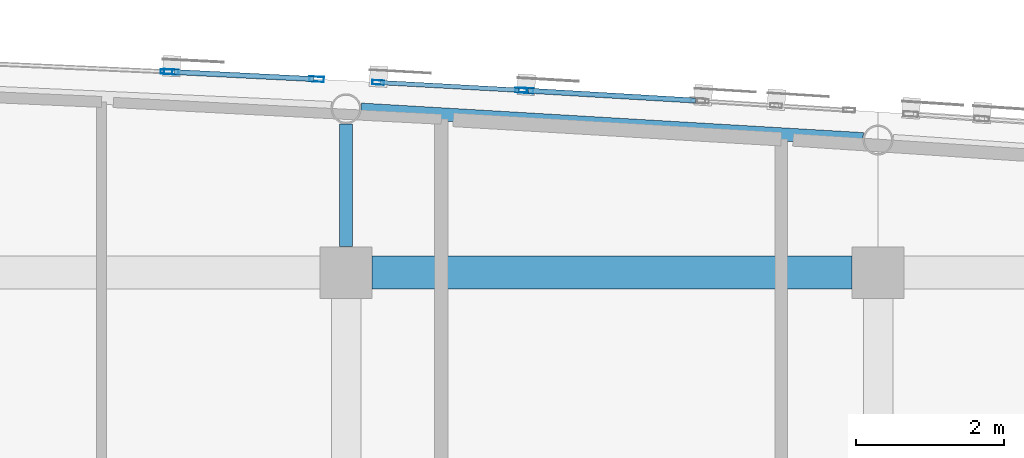
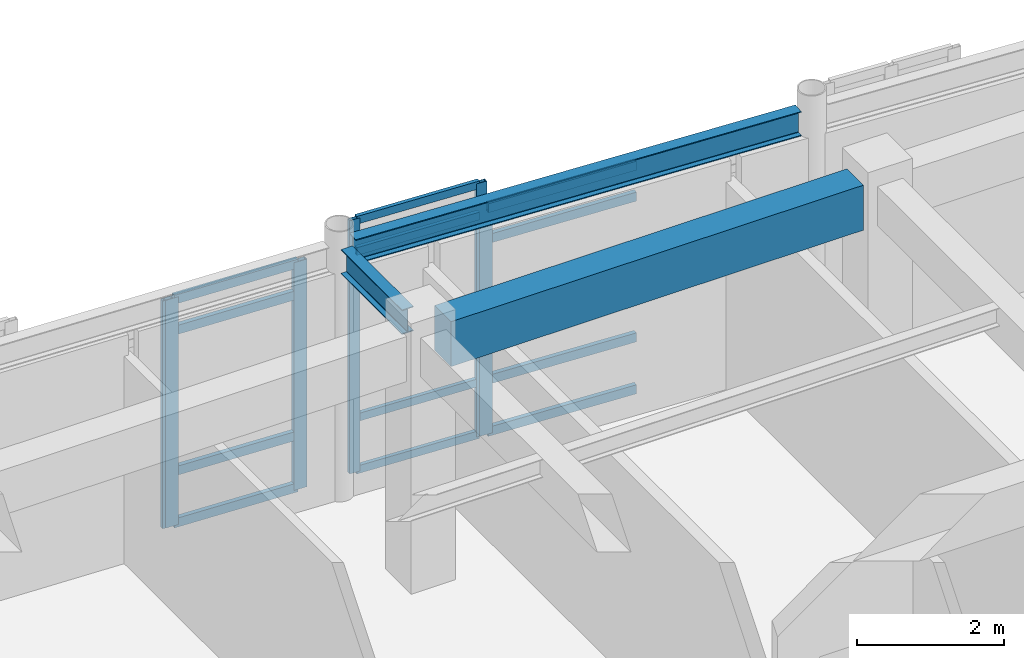
# One storey, part 43 of 106: 18 members, 3 beams, 4 elements without a shape of their own.
"""IFC4 building model written with IfcOpenShell, lengths in metres."""

from ifc_helpers import new_model, si_unit, direction, frame, origin, origin_2d, place, context, subcontext, project, spatial, rectangle, hollow_rectangle, i_section, extrude, material, layer, layer_set, material_profile, profile_set, type_object, element, aggregate, save


model = new_model("IFC4")

# Units and contexts
model_context = context("Model", 3, precision=1e-05, world=origin(), true_north=direction((0.0, 1.0)))
body_context = subcontext(model_context, "Body", "Model", "MODEL_VIEW")
ifc_project = project(units=[si_unit("LENGTHUNIT", "METRE"), si_unit("AREAUNIT", "SQUARE_METRE"), si_unit("VOLUMEUNIT", "CUBIC_METRE"), si_unit("PLANEANGLEUNIT", "RADIAN"), si_unit("MASSUNIT", "GRAM", prefix="KILO")], contexts=[model_context])

# Site, building, storey
site_placement = place(None, origin())
site = spatial("IfcSite", under=ifc_project, at=site_placement, CompositionType="ELEMENT")
building_placement = place(site_placement, origin())
building = spatial("IfcBuilding", under=site, at=building_placement, Name="Carrowvane Square Congress Hotel", CompositionType="ELEMENT")
storey_placement = place(building_placement, frame((0.0, 0.0, 10.5)))
storey = spatial("IfcBuildingStorey", under=building, at=storey_placement, Name="L02", CompositionType="ELEMENT", Elevation=10.5)

# Beams
ifc_material_1 = material(Name="Concrete C35/45", Category="concrete")
ifc_material_profile_1 = material_profile(ifc_material_1, rectangle(XDim=0.449951171875, YDim=0.75, at=origin_2d()), Name="RC 450x750")
ifc_profile_set_1 = profile_set([ifc_material_profile_1], Name="Concrete C35/45")
beam_type_1 = type_object("IfcBeamType", Name="BM-RC-450x750", PredefinedType="USERDEFINED", material=ifc_profile_set_1)
beam_1_placement = place(storey_placement, frame((119.949951171875, 113.39990234375, 3.844970703125), z_axis=(1.0, 0.0, 0.0), x_axis=(0.0, 1.0, 0.0)))
element("IfcBeam", 1, at=beam_1_placement, inside=storey, type_object=beam_type_1, Name="L03 girder R/16-17", ObjectType="GIRDER", PredefinedType="USERDEFINED", context=body_context, shape_type="SweptSolid", body=[
    extrude(rectangle(XDim=0.449951171875, YDim=0.75, at=origin_2d()), origin(), (0.0, 0.0, 1.0), 6.5),
])
ifc_material_2 = material(Name="Steel S355", Category="steel")
ifc_material_profile_2 = material_profile(ifc_material_2, i_section(OverallWidth=0.1787109375, OverallDepth=0.409423828125, WebThickness=0.0087890625, FlangeThickness=0.014404296875, FilletRadius=0.01025390625, at=origin_2d()), Name="UKB 406x178x67")
ifc_profile_set_2 = profile_set([ifc_material_profile_2], Name="Steel S355")
beam_type_2 = type_object("IfcBeamType", Name="BM-ST-UKB406", PredefinedType="BEAM", material=ifc_profile_set_2)
beam_2_placement = place(storey_placement, frame((119.802734375, 115.605712890625, 4.015380859375), z_axis=(0.998276598904, -0.058684172325, 0.0), x_axis=(0.058684172325, 0.998276598904, 0.0)))
element("IfcBeam", 2, at=beam_2_placement, inside=storey, type_object=beam_type_2, Name="L03 curved north spandrel", PredefinedType="BEAM", context=body_context, shape_type="SweptSolid", body=[
    extrude(i_section(OverallWidth=0.1787109375, OverallDepth=0.409423828125, WebThickness=0.0087890625, FlangeThickness=0.014404296875, FilletRadius=0.01025390625, at=origin_2d()), origin(), (0.0, 0.0, 1.0), 6.80615234375),
])
beam_3_placement = place(storey_placement, frame((119.60009765625, 113.75, 4.015380859375), z_axis=(0.0, 1.0, 0.0), x_axis=(-1.0, 0.0, 0.0)))
element("IfcBeam", 3, at=beam_3_placement, inside=storey, type_object=beam_type_2, Name="L03 radial north beam 16", PredefinedType="BEAM", context=body_context, shape_type="SweptSolid", body=[
    extrude(i_section(OverallWidth=0.1787109375, OverallDepth=0.409423828125, WebThickness=0.0087890625, FlangeThickness=0.014404296875, FilletRadius=0.01025390625, at=origin_2d()), origin(), (0.0, 0.0, 1.0), 1.664306640625),
])

# Curtain wall, member
ifc_material_3 = material(Name="Anodised aluminium", Category="aluminium")
ifc_layer_1 = layer(ifc_material_3, 0.18603515625)
ifc_layer_set_1 = layer_set([ifc_layer_1], Name="Anodised aluminium")
curtain_wall_type_1 = type_object("IfcCurtainWallType", Name="CW-SYS-3", PredefinedType="NOTDEFINED", material=ifc_layer_set_1)
curtain_wall_1_placement = place(storey_placement, origin())
curtain_wall_1 = element("IfcCurtainWall", 4, at=curtain_wall_1_placement, inside=storey, type_object=curtain_wall_type_1, Name="L02 unitised curtain wall 162", PredefinedType="NOTDEFINED")
ifc_material_4 = material(Name="Anodised aluminium", Category="aluminium")
ifc_material_profile_3 = material_profile(ifc_material_4, hollow_rectangle(XDim=0.06005859375, YDim=0.159912109375, WallThickness=0.00390625, at=origin_2d()), Name="CW-ML 60x160x4")
ifc_profile_set_3 = profile_set([ifc_material_profile_3], Name="Anodised aluminium")
member_type_1 = type_object("IfcMemberType", Name="CW-MUL-1", PredefinedType="MULLION", material=ifc_profile_set_3)
member_1_placement = place(storey_placement, frame((117.170166015625, 116.119873046875, 0.0), z_axis=(0.0, 0.0, 1.0), x_axis=(0.045411059449, 0.998968385726, 0.0)))
member_1 = element("IfcMember", 5, at=member_1_placement, type_object=member_type_1, Name="CW-3 mullion 2", PredefinedType="MULLION", context=body_context, shape_type="SweptSolid", body=[
    extrude(hollow_rectangle(XDim=0.06005859375, YDim=0.159912109375, WallThickness=0.00390625, at=origin_2d()), origin(), (0.0, 0.0, 1.0), 3.795654296875),
])
aggregate(curtain_wall_1, [member_1])

# Curtain wall, members
ifc_material_5 = material(Name="Anodised aluminium", Category="aluminium")
ifc_layer_2 = layer(ifc_material_5, 0.2099609375)
ifc_layer_set_2 = layer_set([ifc_layer_2], Name="Anodised aluminium")
curtain_wall_type_2 = type_object("IfcCurtainWallType", Name="CW-SYS-5", PredefinedType="NOTDEFINED", material=ifc_layer_set_2)
curtain_wall_2_placement = place(storey_placement, origin())
curtain_wall_2 = element("IfcCurtainWall", 6, at=curtain_wall_2_placement, inside=storey, type_object=curtain_wall_type_2, Name="L02 unitised curtain wall 164", PredefinedType="NOTDEFINED")
member_2_placement = place(storey_placement, frame((120.034423828125, 115.9736328125, 0.0), z_axis=(0.0, 0.0, 1.0), x_axis=(0.054815980317, 0.998496473856, 0.0)))
member_2 = element("IfcMember", 7, at=member_2_placement, type_object=member_type_1, Name="CW-5 mullion 1", PredefinedType="MULLION", context=body_context, shape_type="SweptSolid", body=[
    extrude(hollow_rectangle(XDim=0.06005859375, YDim=0.159912109375, WallThickness=0.00390625, at=origin_2d()), origin(), (0.0, 0.0, 1.0), 4.219970703125),
])
member_3_placement = place(storey_placement, frame((121.969970703125, 115.867431640625, 0.0), z_axis=(0.0, 0.0, 1.0), x_axis=(0.054815980317, 0.998496473856, 0.0)))
member_3 = element("IfcMember", 8, at=member_3_placement, type_object=member_type_1, Name="CW-5 mullion 2", PredefinedType="MULLION", context=body_context, shape_type="SweptSolid", body=[
    extrude(hollow_rectangle(XDim=0.06005859375, YDim=0.159912109375, WallThickness=0.00390625, at=origin_2d()), origin(), (0.0, 0.0, 1.0), 4.219970703125),
])

ifc_material_6 = material(Name="Anodised aluminium", Category="aluminium")
ifc_layer_3 = layer(ifc_material_6, 0.197998046875)
ifc_layer_set_3 = layer_set([ifc_layer_3], Name="Anodised aluminium")
curtain_wall_type_3 = type_object("IfcCurtainWallType", Name="CW-SYS-4", PredefinedType="NOTDEFINED", material=ifc_layer_set_3)
curtain_wall_3_placement = place(storey_placement, origin())
curtain_wall_3 = element("IfcCurtainWall", 9, at=curtain_wall_3_placement, inside=storey, type_object=curtain_wall_type_3, Name="L02 unitised curtain wall 163", PredefinedType="NOTDEFINED")
ifc_material_7 = material(Name="Anodised aluminium", Category="aluminium")
ifc_material_profile_4 = material_profile(ifc_material_7, hollow_rectangle(XDim=0.070068359375, YDim=0.199951171875, WallThickness=0.0048828125, at=origin_2d()), Name="CW-ML 70x200x5")
ifc_profile_set_4 = profile_set([ifc_material_profile_4], Name="Anodised aluminium")
member_type_2 = type_object("IfcMemberType", Name="CW-MUL-2", PredefinedType="MULLION", material=ifc_profile_set_4)
member_4_placement = place(storey_placement, frame((117.23486328125, 116.11669921875, 0.0), z_axis=(0.0, 0.0, 1.0), x_axis=(0.050323791596, 0.998732955299, 0.0)))
member_4 = element("IfcMember", 10, at=member_4_placement, type_object=member_type_2, Name="CW-4 mullion 1", PredefinedType="MULLION", context=body_context, shape_type="SweptSolid", body=[
    extrude(hollow_rectangle(XDim=0.070068359375, YDim=0.199951171875, WallThickness=0.0048828125, at=origin_2d()), origin(), (0.0, 0.0, 1.0), 3.795654296875),
])
member_5_placement = place(storey_placement, frame((119.200439453125, 116.017822265625, 0.0), z_axis=(0.0, 0.0, 1.0), x_axis=(0.050323791596, 0.998732955299, 0.0)))
member_5 = element("IfcMember", 11, at=member_5_placement, type_object=member_type_2, Name="CW-4 mullion 2", PredefinedType="MULLION", context=body_context, shape_type="SweptSolid", body=[
    extrude(hollow_rectangle(XDim=0.070068359375, YDim=0.199951171875, WallThickness=0.0048828125, at=origin_2d()), origin(), (0.0, 0.0, 1.0), 3.795654296875),
])

# Curtain wall, member
ifc_material_8 = material(Name="Anodised aluminium", Category="aluminium")
ifc_layer_4 = layer(ifc_material_8, 0.221923828125)
ifc_layer_set_4 = layer_set([ifc_layer_4], Name="Anodised aluminium")
curtain_wall_type_4 = type_object("IfcCurtainWallType", Name="CW-SYS-6", PredefinedType="NOTDEFINED", material=ifc_layer_set_4)
curtain_wall_4_placement = place(storey_placement, origin())
curtain_wall_4 = element("IfcCurtainWall", 12, at=curtain_wall_4_placement, inside=storey, type_object=curtain_wall_type_4, Name="L02 unitised curtain wall 165", PredefinedType="NOTDEFINED")
member_6_placement = place(storey_placement, frame((122.034912109375, 115.86376953125, 0.0), z_axis=(0.0, 0.0, 1.0), x_axis=(0.058851249486, 0.998266763162, 0.0)))
member_6 = element("IfcMember", 13, at=member_6_placement, type_object=member_type_2, Name="CW-6 mullion 1", PredefinedType="MULLION", context=body_context, shape_type="SweptSolid", body=[
    extrude(hollow_rectangle(XDim=0.070068359375, YDim=0.199951171875, WallThickness=0.0048828125, at=origin_2d()), origin(), (0.0, 0.0, 1.0), 3.795654296875),
])

# Member
ifc_material_9 = material(Name="Anodised aluminium", Category="aluminium")
ifc_material_profile_5 = material_profile(ifc_material_9, hollow_rectangle(XDim=0.06005859375, YDim=0.1298828125, WallThickness=0.00390625, at=origin_2d()), Name="CW-TR 60x130x4")
ifc_profile_set_5 = profile_set([ifc_material_profile_5], Name="Anodised aluminium")
member_type_3 = type_object("IfcMemberType", Name="CW-TRN-1", PredefinedType="USERDEFINED", material=ifc_profile_set_5)
member_7_placement = place(storey_placement, frame((120.064453125, 115.97216796875, 0.030029296875), z_axis=(0.99849494655, -0.054843793758, 0.0), x_axis=(0.054843793758, 0.99849494655, 0.0)))
member_7 = element("IfcMember", 14, at=member_7_placement, type_object=member_type_3, Name="CW-5 transom 1.1", ObjectType="TRANSOM", PredefinedType="USERDEFINED", context=body_context, shape_type="SweptSolid", body=[
    extrude(hollow_rectangle(XDim=0.06005859375, YDim=0.1298828125, WallThickness=0.00390625, at=origin_2d()), origin(), (0.0, 0.0, 1.0), 1.878662109375),
])

member_8_placement = place(storey_placement, frame((120.064453125, 115.97216796875, 0.89990234375), z_axis=(0.99849494655, -0.054843793758, 0.0), x_axis=(0.054843793758, 0.99849494655, 0.0)))
member_8 = element("IfcMember", 15, at=member_8_placement, type_object=member_type_3, Name="CW-5 transom 1.2", ObjectType="TRANSOM", PredefinedType="USERDEFINED", context=body_context, shape_type="SweptSolid", body=[
    extrude(hollow_rectangle(XDim=0.06005859375, YDim=0.1298828125, WallThickness=0.00390625, at=origin_2d()), origin(), (0.0, 0.0, 1.0), 1.878662109375),
])

member_9_placement = place(storey_placement, frame((120.064453125, 115.97216796875, 3.669921875), z_axis=(0.99849494655, -0.054843793758, 0.0), x_axis=(0.054843793758, 0.99849494655, 0.0)))
member_9 = element("IfcMember", 16, at=member_9_placement, type_object=member_type_3, Name="CW-5 transom 1.3", ObjectType="TRANSOM", PredefinedType="USERDEFINED", context=body_context, shape_type="SweptSolid", body=[
    extrude(hollow_rectangle(XDim=0.06005859375, YDim=0.1298828125, WallThickness=0.00390625, at=origin_2d()), origin(), (0.0, 0.0, 1.0), 1.878662109375),
])

member_10_placement = place(storey_placement, frame((120.064453125, 115.97216796875, 4.18994140625), z_axis=(0.99849494655, -0.054843793758, 0.0), x_axis=(0.054843793758, 0.99849494655, 0.0)))
member_10 = element("IfcMember", 17, at=member_10_placement, type_object=member_type_3, Name="CW-5 transom 1.4", ObjectType="TRANSOM", PredefinedType="USERDEFINED", context=body_context, shape_type="SweptSolid", body=[
    extrude(hollow_rectangle(XDim=0.06005859375, YDim=0.1298828125, WallThickness=0.00390625, at=origin_2d()), origin(), (0.0, 0.0, 1.0), 1.878662109375),
])

aggregate(curtain_wall_2, [member_2, member_3, member_7, member_8, member_9, member_10])

ifc_material_10 = material(Name="Anodised aluminium", Category="aluminium")
ifc_material_profile_6 = material_profile(ifc_material_10, hollow_rectangle(XDim=0.070068359375, YDim=0.14990234375, WallThickness=0.0048828125, at=origin_2d()), Name="CW-TR 70x150x5")
ifc_profile_set_6 = profile_set([ifc_material_profile_6], Name="Anodised aluminium")
member_type_4 = type_object("IfcMemberType", Name="CW-TRN-2", PredefinedType="USERDEFINED", material=ifc_profile_set_6)
member_11_placement = place(storey_placement, frame((117.27001953125, 116.114990234375, 0.034912109375), z_axis=(0.998734310046, -0.050296897891, 0.0), x_axis=(0.050296897891, 0.998734310046, 0.0)))
member_11 = element("IfcMember", 18, at=member_11_placement, type_object=member_type_4, Name="CW-4 transom 1.1", ObjectType="TRANSOM", PredefinedType="USERDEFINED", context=body_context, shape_type="SweptSolid", body=[
    extrude(hollow_rectangle(XDim=0.070068359375, YDim=0.14990234375, WallThickness=0.0048828125, at=origin_2d()), origin(), (0.0, 0.0, 1.0), 1.89794921875),
])

member_12_placement = place(storey_placement, frame((117.27001953125, 116.114990234375, 0.89990234375), z_axis=(0.998734310046, -0.050296897891, 0.0), x_axis=(0.050296897891, 0.998734310046, 0.0)))
member_12 = element("IfcMember", 19, at=member_12_placement, type_object=member_type_4, Name="CW-4 transom 1.2", ObjectType="TRANSOM", PredefinedType="USERDEFINED", context=body_context, shape_type="SweptSolid", body=[
    extrude(hollow_rectangle(XDim=0.070068359375, YDim=0.14990234375, WallThickness=0.0048828125, at=origin_2d()), origin(), (0.0, 0.0, 1.0), 1.89794921875),
])

member_13_placement = place(storey_placement, frame((117.27001953125, 116.114990234375, 3.24560546875), z_axis=(0.998734310046, -0.050296897891, 0.0), x_axis=(0.050296897891, 0.998734310046, 0.0)))
member_13 = element("IfcMember", 20, at=member_13_placement, type_object=member_type_4, Name="CW-4 transom 1.3", ObjectType="TRANSOM", PredefinedType="USERDEFINED", context=body_context, shape_type="SweptSolid", body=[
    extrude(hollow_rectangle(XDim=0.070068359375, YDim=0.14990234375, WallThickness=0.0048828125, at=origin_2d()), origin(), (0.0, 0.0, 1.0), 1.89794921875),
])

member_14_placement = place(storey_placement, frame((117.27001953125, 116.114990234375, 3.760498046875), z_axis=(0.998734310046, -0.050296897891, 0.0), x_axis=(0.050296897891, 0.998734310046, 0.0)))
member_14 = element("IfcMember", 21, at=member_14_placement, type_object=member_type_4, Name="CW-4 transom 1.4", ObjectType="TRANSOM", PredefinedType="USERDEFINED", context=body_context, shape_type="SweptSolid", body=[
    extrude(hollow_rectangle(XDim=0.070068359375, YDim=0.14990234375, WallThickness=0.0048828125, at=origin_2d()), origin(), (0.0, 0.0, 1.0), 1.89794921875),
])

aggregate(curtain_wall_3, [member_4, member_5, member_11, member_12, member_13, member_14])

member_15_placement = place(storey_placement, frame((122.06982421875, 115.86181640625, 0.034912109375), z_axis=(0.998265438007, -0.058873723175, 0.0), x_axis=(0.058873723175, 0.998265438007, 0.0)))
member_15 = element("IfcMember", 22, at=member_15_placement, type_object=member_type_4, Name="CW-6 transom 1.1", ObjectType="TRANSOM", PredefinedType="USERDEFINED", context=body_context, shape_type="SweptSolid", body=[
    extrude(hollow_rectangle(XDim=0.070068359375, YDim=0.14990234375, WallThickness=0.0048828125, at=origin_2d()), origin(), (0.0, 0.0, 1.0), 2.26416015625),
])

member_16_placement = place(storey_placement, frame((122.06982421875, 115.86181640625, 0.89990234375), z_axis=(0.998265438007, -0.058873723175, 0.0), x_axis=(0.058873723175, 0.998265438007, 0.0)))
member_16 = element("IfcMember", 23, at=member_16_placement, type_object=member_type_4, Name="CW-6 transom 1.2", ObjectType="TRANSOM", PredefinedType="USERDEFINED", context=body_context, shape_type="SweptSolid", body=[
    extrude(hollow_rectangle(XDim=0.070068359375, YDim=0.14990234375, WallThickness=0.0048828125, at=origin_2d()), origin(), (0.0, 0.0, 1.0), 2.26416015625),
])

member_17_placement = place(storey_placement, frame((122.06982421875, 115.86181640625, 3.24560546875), z_axis=(0.998265438007, -0.058873723175, 0.0), x_axis=(0.058873723175, 0.998265438007, 0.0)))
member_17 = element("IfcMember", 24, at=member_17_placement, type_object=member_type_4, Name="CW-6 transom 1.3", ObjectType="TRANSOM", PredefinedType="USERDEFINED", context=body_context, shape_type="SweptSolid", body=[
    extrude(hollow_rectangle(XDim=0.070068359375, YDim=0.14990234375, WallThickness=0.0048828125, at=origin_2d()), origin(), (0.0, 0.0, 1.0), 2.26416015625),
])

member_18_placement = place(storey_placement, frame((122.06982421875, 115.86181640625, 3.760498046875), z_axis=(0.998265438007, -0.058873723175, 0.0), x_axis=(0.058873723175, 0.998265438007, 0.0)))
member_18 = element("IfcMember", 25, at=member_18_placement, type_object=member_type_4, Name="CW-6 transom 1.4", ObjectType="TRANSOM", PredefinedType="USERDEFINED", context=body_context, shape_type="SweptSolid", body=[
    extrude(hollow_rectangle(XDim=0.070068359375, YDim=0.14990234375, WallThickness=0.0048828125, at=origin_2d()), origin(), (0.0, 0.0, 1.0), 2.26416015625),
])

aggregate(curtain_wall_4, [member_6, member_15, member_16, member_17, member_18])

save(model, "model.ifc")
